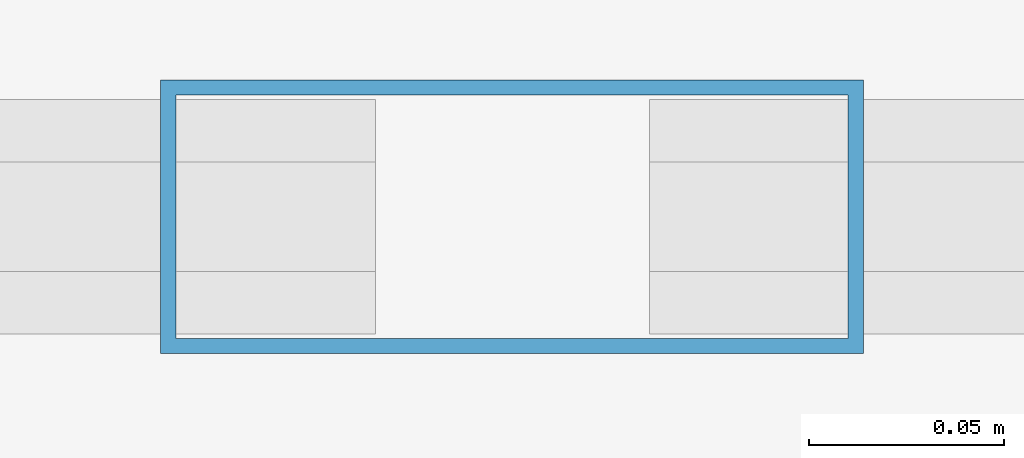
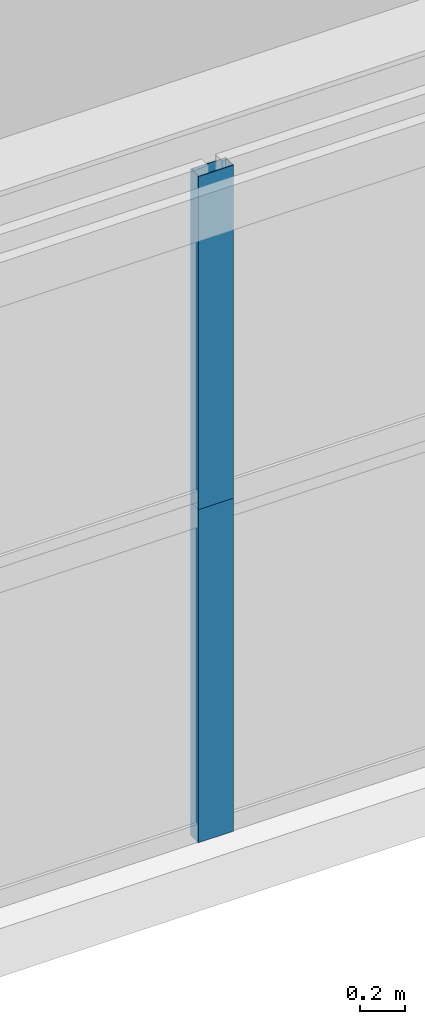
# One storey, part 8 of 26: 2 members, 2 elements without a shape of their own.
"""IFC4 building model written with IfcOpenShell, lengths in metres."""

from ifc_helpers import new_model, si_unit, direction, frame, origin, origin_2d, place, context, subcontext, project, spatial, hollow_rectangle, extrude, source, transform, mapped, material, layer, layer_set, material_profile, profile_set, type_object, element, aggregate, save


model = new_model("IFC4")

# Units and contexts
model_context = context("Model", 3, precision=1e-05, world=origin(), true_north=direction((0.0, 1.0)))
body_context = subcontext(model_context, "Body", "Model", "MODEL_VIEW")
ifc_project = project(units=[si_unit("LENGTHUNIT", "METRE"), si_unit("AREAUNIT", "SQUARE_METRE"), si_unit("VOLUMEUNIT", "CUBIC_METRE"), si_unit("PLANEANGLEUNIT", "RADIAN"), si_unit("MASSUNIT", "GRAM", prefix="KILO")], contexts=[model_context])

# Site, building, storey
site_placement = place(None, origin())
site = spatial("IfcSite", under=ifc_project, at=site_placement, CompositionType="ELEMENT")
building_placement = place(site_placement, origin())
building = spatial("IfcBuilding", under=site, at=building_placement, Name="Taldren Reach Tower", CompositionType="ELEMENT")
storey_placement = place(building_placement, frame((0.0, 0.0, 4.550048828125)))
storey = spatial("IfcBuildingStorey", under=building, at=storey_placement, Name="L01", CompositionType="ELEMENT", Elevation=4.550048828125)

# Curtain wall, member
ifc_material_1 = material(Name="Aluminium and Low-E Glass Unitised System", Category="aluminium")
ifc_layer = layer(ifc_material_1, 0.159912109375)
ifc_layer_set = layer_set([ifc_layer], Name="Aluminium and Low-E Glass Unitised System")
curtain_wall_type = type_object("IfcCurtainWallType", Name="CW-SYS-1", PredefinedType="NOTDEFINED", material=ifc_layer_set)
curtain_wall_1_placement = place(storey_placement, origin())
curtain_wall_1 = element("IfcCurtainWall", 1, at=curtain_wall_1_placement, inside=storey, type_object=curtain_wall_type, Name="Unitised curtain wall CW1-L01-S1", PredefinedType="NOTDEFINED")
ifc_material_2 = material(Name="Anodised Aluminium 6063-T6", Category="aluminium")
ifc_material_profile = material_profile(ifc_material_2, hollow_rectangle(XDim=0.070068359375, YDim=0.179931640625, WallThickness=0.00390625, at=origin_2d()), Name="ALU-180x70x4RHS")
ifc_profile_set = profile_set([ifc_material_profile], Name="Anodised Aluminium 6063-T6")
member_type = type_object("IfcMemberType", Name="CW-MUL-180", PredefinedType="MULLION", material=ifc_profile_set)
shared_shape = source(origin(), body_context, "Body", "SweptSolid", [
    extrude(hollow_rectangle(XDim=0.070068359375, YDim=0.179931640625, WallThickness=0.00390625, at=origin_2d()), origin(), (0.0, 0.0, 1.0), 1.794921875),
])
member_1_placement = place(storey_placement, frame((13.39990234375, 0.169921875, 0.0), z_axis=(0.0, 0.0, 1.0), x_axis=(0.0, 1.0, 0.0)))
member_1 = element("IfcMember", 2, at=member_1_placement, type_object=member_type, Name="CW-1 mullion 2", PredefinedType="MULLION", context=body_context, shape_type="MappedRepresentation", body=[
    mapped(shared_shape, transform((0.0, 0.0, 0.0), scale=1.0)),
])
aggregate(curtain_wall_1, [member_1])

curtain_wall_2_placement = place(storey_placement, origin())
curtain_wall_2 = element("IfcCurtainWall", 3, at=curtain_wall_2_placement, inside=storey, type_object=curtain_wall_type, Name="Unitised curtain wall CW1-L01-S1-T2", PredefinedType="NOTDEFINED")
member_2_placement = place(storey_placement, frame((13.39990234375, 0.169921875, 1.794921875), z_axis=(0.0, 0.0, 1.0), x_axis=(0.0, 1.0, 0.0)))
member_2 = element("IfcMember", 4, at=member_2_placement, type_object=member_type, Name="CW-1 mullion 2", PredefinedType="MULLION", context=body_context, shape_type="MappedRepresentation", body=[
    mapped(shared_shape, transform((0.0, 0.0, 0.0), scale=1.0)),
])
aggregate(curtain_wall_2, [member_2])

save(model, "model.ifc")
